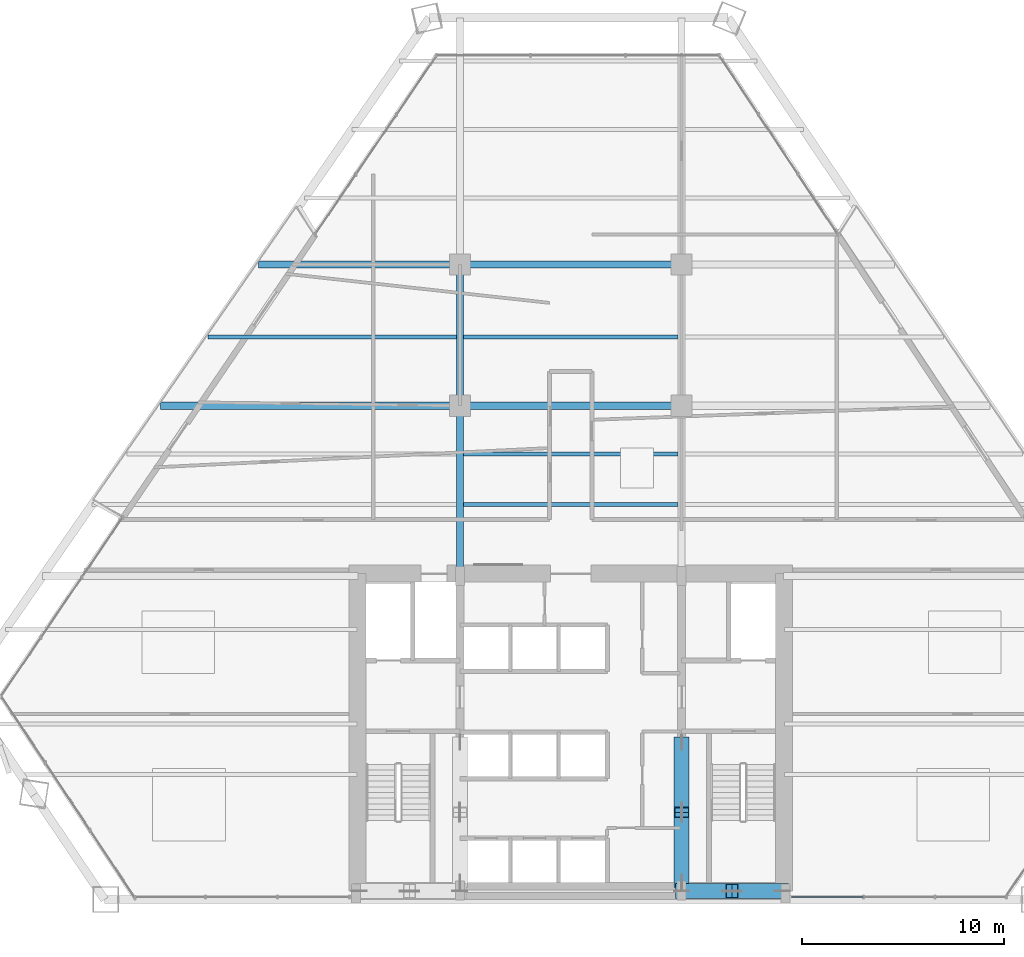
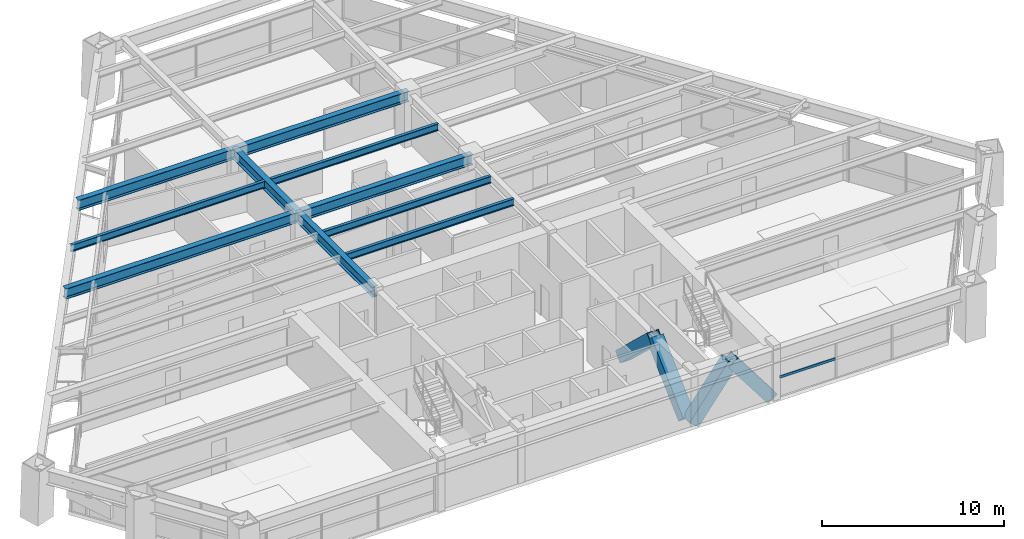
# One storey, part 5 of 14: 10 beams, 5 members, 1 element without a shape of its own.
"""IFC4 building model written with IfcOpenShell, lengths in metres."""

from ifc_helpers import new_model, si_unit, direction, frame, origin, origin_2d, place, context, subcontext, project, spatial, rectangle, hollow_rectangle, i_section, extrude, source, transform, mapped, material, material_profile, profile_set, type_object, type_shapes, element, aggregate, save


model = new_model("IFC4")

# Units and contexts
model_context = context("Model", 3, precision=1e-05, world=origin(), true_north=direction((0.0, 1.0)))
body_context = subcontext(model_context, "Body", "Model", "MODEL_VIEW")
ifc_project = project(units=[si_unit("LENGTHUNIT", "METRE"), si_unit("AREAUNIT", "SQUARE_METRE"), si_unit("VOLUMEUNIT", "CUBIC_METRE"), si_unit("PLANEANGLEUNIT", "RADIAN"), si_unit("MASSUNIT", "GRAM", prefix="KILO")], contexts=[model_context])

# Site, building, storey
site_placement = place(None, origin())
site = spatial("IfcSite", under=ifc_project, at=site_placement, CompositionType="ELEMENT")
building_placement = place(site_placement, origin())
building = spatial("IfcBuilding", under=site, at=building_placement, Name="Varnakhor Terracotta Tower", CompositionType="ELEMENT")
storey_placement = place(building_placement, frame((0.0, 0.0, 60.800048828125)))
storey = spatial("IfcBuildingStorey", under=building, at=storey_placement, Name="L14", CompositionType="ELEMENT", Elevation=60.800048828125)

# Beams
ifc_material_1 = material(Name="Steel S355", Category="steel")
ifc_material_profile_1 = material_profile(ifc_material_1, i_section(OverallWidth=0.35498046875, OverallDepth=0.695068359375, WebThickness=0.014892578125, FlangeThickness=0.02490234375, FilletRadius=0.01806640625, at=origin_2d()), Name="W27X146")
ifc_profile_set_1 = profile_set([ifc_material_profile_1], Name="Steel S355")
beam_type_1 = type_object("IfcBeamType", Name="BM-W27X146", PredefinedType="BEAM", material=ifc_profile_set_1)
shared_shape_1 = source(origin(), body_context, "Body", "SweptSolid", [
    extrude(i_section(OverallWidth=0.35498046875, OverallDepth=0.695068359375, WebThickness=0.014892578125, FlangeThickness=0.02490234375, FilletRadius=0.01806640625, at=origin_2d()), origin(), (0.0, 0.0, 1.0), 8.449951171875),
])
type_shapes(beam_type_1, [shared_shape_1])
beam_1_placement = place(storey_placement, frame((-5.5, 16.050048828125, 3.1025390625), z_axis=(0.0, 1.0, 0.0), x_axis=(-1.0, 0.0, 0.0)))
element("IfcBeam", 1, at=beam_1_placement, inside=storey, type_object=beam_type_1, Name="L14 Primary Girder NS1-W", PredefinedType="BEAM", context=body_context, shape_type="MappedRepresentation", body=[
    mapped(shared_shape_1, transform((0.0, 0.0, 0.0), scale=1.0)),
])
shared_shape_2 = source(origin(), body_context, "Body", "SweptSolid", [
    extrude(i_section(OverallWidth=0.35498046875, OverallDepth=0.695068359375, WebThickness=0.014892578125, FlangeThickness=0.02490234375, FilletRadius=0.01806640625, at=origin_2d()), origin(), (0.0, 0.0, 1.0), 7.0),
])
beam_2_placement = place(storey_placement, frame((-5.5, 24.5, 3.1025390625), z_axis=(0.0, 1.0, 0.0), x_axis=(-1.0, 0.0, 0.0)))
element("IfcBeam", 2, at=beam_2_placement, inside=storey, type_object=beam_type_1, Name="L14 Primary Girder NS2-W", PredefinedType="BEAM", context=body_context, shape_type="MappedRepresentation", body=[
    mapped(shared_shape_2, transform((0.0, 0.0, 0.0), scale=1.0)),
])
shared_shape_3 = source(origin(), body_context, "Body", "SweptSolid", [
    extrude(i_section(OverallWidth=0.35498046875, OverallDepth=0.695068359375, WebThickness=0.014892578125, FlangeThickness=0.02490234375, FilletRadius=0.01806640625, at=origin_2d()), origin(), (0.0, 0.0, 1.0), 11.0),
])
for number, where, z_axis, x_axis, name in (
    (3, (-5.5, 24.5, 3.1025390625), (1.0, 0.0, 0.0), (0.0, 1.0, 0.0), "L14 Primary Girder EW2-2"),
    (4, (-5.5, 31.5, 3.1025390625), (1.0, 0.0, 0.0), (0.0, 1.0, 0.0), "L14 Primary Girder EW3-2"),
):
    element("IfcBeam", number, at=place(storey_placement, frame(where, z_axis=z_axis, x_axis=x_axis)), inside=storey, type_object=beam_type_1, Name=name, PredefinedType="BEAM", context=body_context, shape_type="MappedRepresentation", body=[
        mapped(shared_shape_3, transform((0.0, 0.0, 0.0), scale=1.0)),
    ])
ifc_material_profile_2 = material_profile(ifc_material_1, i_section(OverallWidth=0.19189453125, OverallDepth=0.462890625, WebThickness=0.010498046875, FlangeThickness=0.017578125, FilletRadius=0.01806640625, at=origin_2d()), Name="W18X60")
ifc_profile_set_2 = profile_set([ifc_material_profile_2], Name="Steel S355")
beam_type_2 = type_object("IfcBeamType", Name="JST-W18X60", PredefinedType="JOIST", material=ifc_profile_set_2)
shared_shape_4 = source(origin(), body_context, "Body", "SweptSolid", [
    extrude(i_section(OverallWidth=0.19189453125, OverallDepth=0.462890625, WebThickness=0.010498046875, FlangeThickness=0.017578125, FilletRadius=0.01806640625, at=origin_2d()), origin(), (0.0, 0.0, 1.0), 10.65283203125),
])
for number, where, z_axis, x_axis, name in (
    (5, (-5.326416015625, 19.60009765625, 3.218505859375), (1.0, 0.0, 0.0), (0.0, 1.0, 0.0), "L14 Composite Floor Joist 4-2"),
    (6, (-5.326416015625, 22.10009765625, 3.218505859375), (1.0, 0.0, 0.0), (0.0, 1.0, 0.0), "L14 Composite Floor Joist 5-2"),
    (7, (-5.326416015625, 27.89990234375, 3.218505859375), (1.0, 0.0, 0.0), (0.0, 1.0, 0.0), "L14 Composite Floor Joist 6-2"),
):
    element("IfcBeam", number, at=place(storey_placement, frame(where, z_axis=z_axis, x_axis=x_axis)), inside=storey, type_object=beam_type_2, Name=name, PredefinedType="JOIST", context=body_context, shape_type="MappedRepresentation", body=[
        mapped(shared_shape_4, transform((0.0, 0.0, 0.0), scale=1.0)),
    ])

# Members
ifc_material_2 = material(Name="Steel S460", Category="steel")
ifc_material_profile_3 = material_profile(ifc_material_2, hollow_rectangle(XDim=0.75, YDim=0.75, WallThickness=0.044921875, at=origin_2d()), Name="HSS750X750X45")
ifc_profile_set_3 = profile_set([ifc_material_profile_3], Name="Steel S460")
member_type_1 = type_object("IfcMemberType", Name="MBR-MEGA-750", PredefinedType="BRACE", material=ifc_profile_set_3)
shared_shape_5 = source(origin(), body_context, "Body", "SweptSolid", [
    extrude(hollow_rectangle(XDim=0.75, YDim=0.75, WallThickness=0.044921875, at=origin_2d()), origin(), (0.0, 0.0, 1.0), 4.14013671875),
])
type_shapes(member_type_1, [shared_shape_5])
for number, where, z_axis, x_axis, name in (
    (8, (5.5, 0.419921875, 0.0), (0.603852011179, 0.0, 0.797096448741), (0.0, 1.0, 0.0), "L14 Core Coupled Brace CSEA"),
    (9, (10.5, 0.419921875, 0.0), (-0.603852011179, 0.0, 0.797096448741), (0.0, -1.0, 0.0), "L14 Core Coupled Brace CSEB"),
):
    element("IfcMember", number, at=place(storey_placement, frame(where, z_axis=z_axis, x_axis=x_axis)), inside=storey, type_object=member_type_1, Name=name, PredefinedType="BRACE", context=body_context, shape_type="MappedRepresentation", body=[
        mapped(shared_shape_5, transform((0.0, 0.0, 0.0), scale=1.0)),
    ])
shared_shape_6 = source(origin(), body_context, "Body", "SweptSolid", [
    extrude(hollow_rectangle(XDim=0.75, YDim=0.75, WallThickness=0.044921875, at=origin_2d()), origin(), (0.0, 0.0, 1.0), 4.792236328125),
])
for number, where, z_axis, x_axis, name in (
    (10, (5.5, 0.85009765625, 0.0), (0.0, 0.725110085518, 0.688632967466), (-1.0, 0.0, 0.0), "L14 Core Coupled Brace CWEA"),
    (11, (5.5, 7.800048828125, 0.0), (0.0, -0.72513424341, 0.688607529028), (1.0, 0.0, 0.0), "L14 Core Coupled Brace CWEB"),
):
    element("IfcMember", number, at=place(storey_placement, frame(where, z_axis=z_axis, x_axis=x_axis)), inside=storey, type_object=member_type_1, Name=name, PredefinedType="BRACE", context=body_context, shape_type="MappedRepresentation", body=[
        mapped(shared_shape_6, transform((0.0, 0.0, 0.0), scale=1.0)),
    ])

# Beams
shared_shape_7 = source(origin(), body_context, "Body", "SweptSolid", [
    extrude(i_section(OverallWidth=0.35498046875, OverallDepth=0.695068359375, WebThickness=0.014892578125, FlangeThickness=0.02490234375, FilletRadius=0.01806640625, at=origin_2d()), origin(), (0.0, 0.0, 1.0), 14.85107421875),
])
beam_3_placement = place(storey_placement, frame((-20.35107421875, 24.5, 3.1025390625), z_axis=(1.0, 0.0, 0.0), x_axis=(0.0, 1.0, 0.0)))
element("IfcBeam", 12, at=beam_3_placement, inside=storey, type_object=beam_type_1, Name="L14 Primary Girder EW2-1", PredefinedType="BEAM", context=body_context, shape_type="MappedRepresentation", body=[
    mapped(shared_shape_7, transform((0.0, 0.0, 0.0), scale=1.0)),
])
shared_shape_8 = source(origin(), body_context, "Body", "SweptSolid", [
    extrude(i_section(OverallWidth=0.35498046875, OverallDepth=0.695068359375, WebThickness=0.014892578125, FlangeThickness=0.02490234375, FilletRadius=0.01806640625, at=origin_2d()), origin(), (0.0, 0.0, 1.0), 9.99951171875),
])
beam_4_placement = place(storey_placement, frame((-15.49951171875, 31.5, 3.1025390625), z_axis=(1.0, 0.0, 0.0), x_axis=(0.0, 1.0, 0.0)))
element("IfcBeam", 13, at=beam_4_placement, inside=storey, type_object=beam_type_1, Name="L14 Primary Girder EW3-1", PredefinedType="BEAM", context=body_context, shape_type="MappedRepresentation", body=[
    mapped(shared_shape_8, transform((0.0, 0.0, 0.0), scale=1.0)),
])
shared_shape_9 = source(origin(), body_context, "Body", "SweptSolid", [
    extrude(i_section(OverallWidth=0.19189453125, OverallDepth=0.462890625, WebThickness=0.010498046875, FlangeThickness=0.017578125, FilletRadius=0.01806640625, at=origin_2d()), origin(), (0.0, 0.0, 1.0), 12.321044921875),
])
beam_5_placement = place(storey_placement, frame((-17.99462890625, 27.89990234375, 3.218505859375), z_axis=(1.0, 0.0, 0.0), x_axis=(0.0, 1.0, 0.0)))
element("IfcBeam", 14, at=beam_5_placement, inside=storey, type_object=beam_type_2, Name="L14 Composite Floor Joist 6-1", PredefinedType="JOIST", context=body_context, shape_type="MappedRepresentation", body=[
    mapped(shared_shape_9, transform((0.0, 0.0, 0.0), scale=1.0)),
])

# Curtain wall, member
ifc_material_3 = material(Name="Anodised Aluminium Curtain Wall System", Category="aluminium")
curtain_wall_type = type_object("IfcCurtainWallType", Name="CW-SYS-LOW-OFFICE", PredefinedType="NOTDEFINED", material=ifc_material_3)
curtain_wall_placement = place(storey_placement, origin())
curtain_wall = element("IfcCurtainWall", 15, at=curtain_wall_placement, inside=storey, type_object=curtain_wall_type, Name="L14 South Wing Curtain Wall SSE", PredefinedType="NOTDEFINED")
ifc_material_4 = material(Name="Anodised Aluminium 6063-T6", Category="aluminium")
ifc_material_profile_4 = material_profile(ifc_material_4, rectangle(XDim=0.074951171875, YDim=0.1650390625, at=origin_2d()), Name="ALU TRANSOM 75x165")
ifc_profile_set_4 = profile_set([ifc_material_profile_4], Name="Anodised Aluminium 6063-T6")
member_type_2 = type_object("IfcMemberType", Name="CWT-02", PredefinedType="USERDEFINED", material=ifc_profile_set_4)
shared_shape_10 = source(origin(), body_context, "Body", "SweptSolid", [
    extrude(rectangle(XDim=0.074951171875, YDim=0.1650390625, at=origin_2d()), origin(), (0.0, 0.0, 1.0), 3.549072265625),
])
member_placement = place(storey_placement, frame((14.51904296875, 0.1201171875, 1.2724609375), z_axis=(-1.0, 0.0, 0.0), x_axis=(0.0, -1.0, 0.0)))
member = element("IfcMember", 16, at=member_placement, type_object=member_type_2, Name="L14 South Wing Curtain Wall SSE Transom 3", ObjectType="TRANSOM", PredefinedType="USERDEFINED", context=body_context, shape_type="MappedRepresentation", body=[
    mapped(shared_shape_10, transform((0.0, 0.0, 0.0), scale=1.0)),
])
aggregate(curtain_wall, [member])

save(model, "model.ifc")
